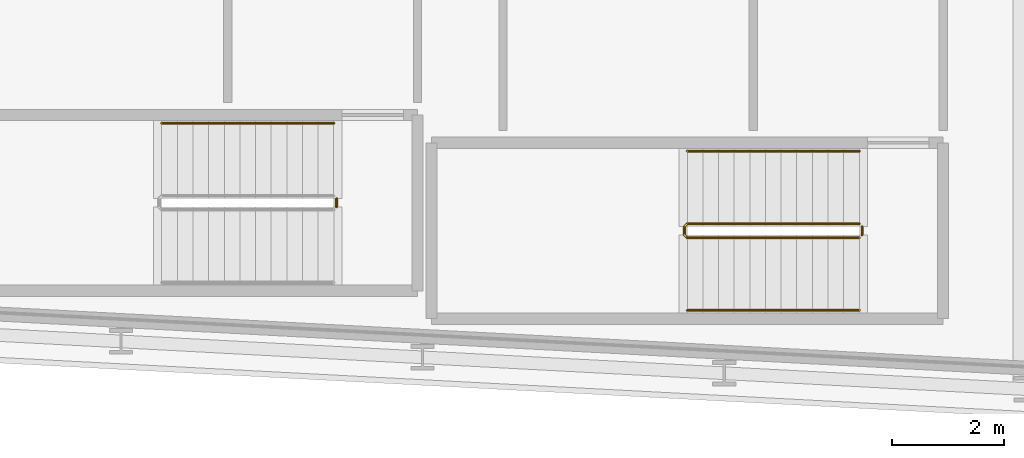
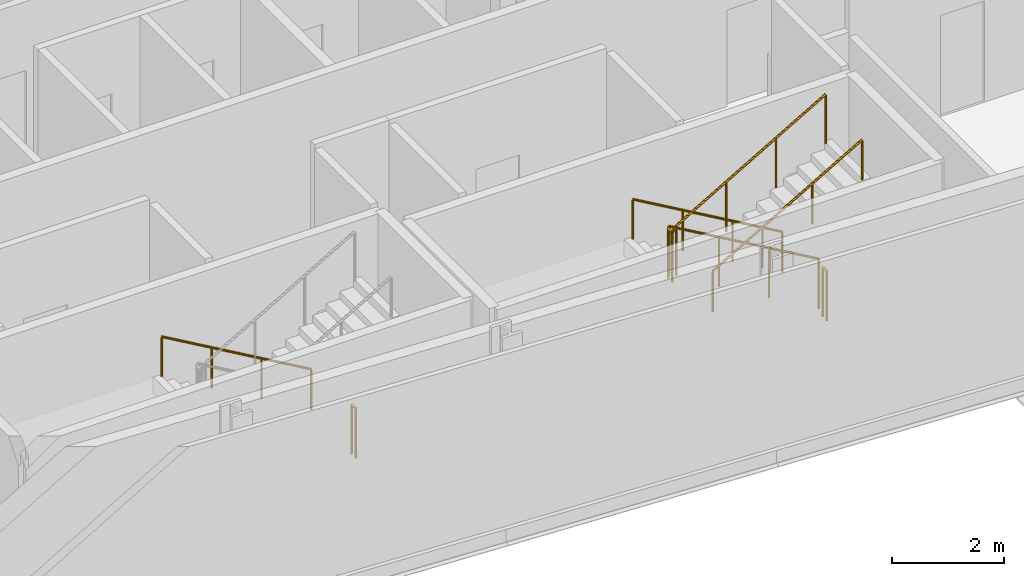
# One storey, part 25 of 28: 6 railings.
"""IFC4 building model written with IfcOpenShell, lengths in metres."""

from ifc_helpers import new_model, si_unit, direction, frame, origin, origin_2d, place, context, subcontext, project, spatial, circle, extrude, material, type_object, element, save


model = new_model("IFC4")

# Units and contexts
model_context = context("Model", 3, precision=1e-05, world=origin(), true_north=direction((0.0, 1.0)))
body_context = subcontext(model_context, "Body", "Model", "MODEL_VIEW")
ifc_project = project(units=[si_unit("LENGTHUNIT", "METRE"), si_unit("AREAUNIT", "SQUARE_METRE"), si_unit("VOLUMEUNIT", "CUBIC_METRE"), si_unit("PLANEANGLEUNIT", "RADIAN"), si_unit("MASSUNIT", "GRAM", prefix="KILO")], contexts=[model_context])

# Site, building, storey
site_placement = place(None, origin())
site = spatial("IfcSite", under=ifc_project, at=site_placement, CompositionType="ELEMENT")
building_placement = place(site_placement, origin())
building = spatial("IfcBuilding", under=site, at=building_placement, Name="Kheshtan School and Residences Tower", CompositionType="ELEMENT")
storey_placement = place(building_placement, frame((0.0, 0.0, 129.199951171875)))
storey = spatial("IfcBuildingStorey", under=building, at=storey_placement, Name="L30", CompositionType="ELEMENT", Elevation=129.199951171875)

# Railings
ifc_material_1 = material(Name="Stainless steel balustrade", Category="steel")
railing_type_1 = type_object("IfcRailingType", Name="Stair guard 1100", PredefinedType="GUARDRAIL", material=ifc_material_1)
railing_1_placement = place(storey_placement, frame((87.820068359375, 23.949951171875, 0.16259765625)))
element("IfcRailing", 1, at=railing_1_placement, inside=storey, type_object=railing_type_1, Name="L30 ST4 stair guard 1", PredefinedType="GUARDRAIL", context=body_context, shape_type="SweptSolid", body=[
    extrude(circle(Radius=0.02392578125, at=origin_2d()), frame((0.0, 0.0, 1.076171875), z_axis=(-0.864920483161, 0.0, 0.501908913857), x_axis=(0.0, -1.0, 0.0)), (0.0, 0.0, 1.0), 3.56103515625),
    extrude(circle(Radius=0.02392578125, at=origin_2d()), frame((-3.080078125, 0.0, 2.86328125), z_axis=(-0.707106781187, -0.707106781187, 0.0), x_axis=(0.707106781187, -0.707106781187, 0.0)), (0.0, 0.0, 1.0), 0.07080078125),
    extrude(circle(Radius=0.02392578125, at=origin_2d()), frame((-3.130126953125, -0.050048828125, 2.86328125), z_axis=(0.0, -1.0, 0.0), x_axis=(1.0, 0.0, 0.0)), (0.0, 0.0, 1.0), 0.14990234375),
    extrude(circle(Radius=0.02392578125, at=origin_2d()), frame((-3.130126953125, -0.199951171875, 2.86328125), z_axis=(0.282227285176, -0.282227285176, 0.916894497205), x_axis=(0.707106781187, 0.707106781187, 0.0)), (0.0, 0.0, 1.0), 0.17724609375),
    extrude(circle(Radius=0.02392578125, at=origin_2d()), frame((-3.080078125, -0.25, 3.02587890625), z_axis=(0.864890721111, 0.0, 0.501960198159), x_axis=(0.0, 1.0, 0.0)), (0.0, 0.0, 1.0), 3.561279296875),
    extrude(circle(Radius=0.02099609375, at=origin_2d()), origin(), (0.0, 0.0, 1.0), 1.052001953125),
    extrude(circle(Radius=0.02099609375, at=origin_2d()), frame((-1.026611328125, 0.0, 0.595703125)), (0.0, 0.0, 1.0), 1.052001953125),
    extrude(circle(Radius=0.02099609375, at=origin_2d()), frame((-2.053466796875, 0.0, 1.191650390625)), (0.0, 0.0, 1.0), 1.052001953125),
    extrude(circle(Radius=0.02099609375, at=origin_2d()), frame((-3.080078125, 0.0, 1.787353515625)), (0.0, 0.0, 1.0), 1.052001953125),
    extrude(circle(Radius=0.02099609375, at=origin_2d()), frame((-3.130126953125, -0.050048828125, 1.787353515625)), (0.0, 0.0, 1.0), 1.052001953125),
    extrude(circle(Radius=0.02099609375, at=origin_2d()), frame((-3.130126953125, -0.199951171875, 1.787353515625)), (0.0, 0.0, 1.0), 1.052001953125),
    extrude(circle(Radius=0.02099609375, at=origin_2d()), frame((-3.080078125, -0.25, 1.949951171875)), (0.0, 0.0, 1.0), 1.052001953125),
    extrude(circle(Radius=0.02099609375, at=origin_2d()), frame((-2.053466796875, -0.25, 2.5458984375)), (0.0, 0.0, 1.0), 1.052001953125),
    extrude(circle(Radius=0.02099609375, at=origin_2d()), frame((-1.026611328125, -0.25, 3.1416015625)), (0.0, 0.0, 1.0), 1.052001953125),
    extrude(circle(Radius=0.02099609375, at=origin_2d()), frame((0.0, -0.25, 3.737548828125)), (0.0, 0.0, 1.0), 1.052001953125),
])
for number, where, name in (
    (2, (87.8701171875, 23.89990234375, 0.0), "L30 ST4 stair guard 2"),
    (3, (78.4599609375, 24.39990234375, 0.0), "L30 ST5 stair guard 2"),
):
    element("IfcRailing", number, at=place(storey_placement, frame(where)), inside=storey, type_object=railing_type_1, Name=name, PredefinedType="GUARDRAIL", context=body_context, shape_type="SweptSolid", body=[
        extrude(circle(Radius=0.02392578125, at=origin_2d()), frame((0.0, 0.0, 1.076171875), z_axis=(0.0, -1.0, 0.0), x_axis=(1.0, 0.0, 0.0)), (0.0, 0.0, 1.0), 0.14990234375),
        extrude(circle(Radius=0.02099609375, at=origin_2d()), origin(), (0.0, 0.0, 1.0), 1.052001953125),
        extrude(circle(Radius=0.02099609375, at=origin_2d()), frame((0.0, -0.14990234375, 0.0)), (0.0, 0.0, 1.0), 1.052001953125),
    ])
ifc_material_2 = material(Name="Stainless steel handrail", Category="steel")
railing_type_2 = type_object("IfcRailingType", Name="Stair handrail 900", PredefinedType="HANDRAIL", material=ifc_material_2)
railing_2_placement = place(storey_placement, frame((87.820068359375, 25.25, 0.16259765625)))
element("IfcRailing", 4, at=railing_2_placement, inside=storey, type_object=railing_type_2, Name="L30 ST4 stair handrail 1", PredefinedType="HANDRAIL", context=body_context, shape_type="SweptSolid", body=[
    extrude(circle(Radius=0.02392578125, at=origin_2d()), frame((0.0, 0.0, 0.8759765625), z_axis=(-0.864920483161, 0.0, 0.501908913857), x_axis=(0.0, -1.0, 0.0)), (0.0, 0.0, 1.0), 3.56103515625),
    extrude(circle(Radius=0.02099609375, at=origin_2d()), origin(), (0.0, 0.0, 1.0), 0.851806640625),
    extrude(circle(Radius=0.02099609375, at=origin_2d()), frame((-1.026611328125, 0.0, 0.595703125)), (0.0, 0.0, 1.0), 0.851806640625),
    extrude(circle(Radius=0.02099609375, at=origin_2d()), frame((-2.053466796875, 0.0, 1.191650390625)), (0.0, 0.0, 1.0), 0.851806640625),
    extrude(circle(Radius=0.02099609375, at=origin_2d()), frame((-3.080078125, 0.0, 1.787353515625)), (0.0, 0.0, 1.0), 0.851806640625),
])
railing_3_placement = place(storey_placement, frame((84.739990234375, 22.39990234375, 2.112548828125)))
element("IfcRailing", 5, at=railing_3_placement, inside=storey, type_object=railing_type_2, Name="L30 ST4 stair handrail 2", PredefinedType="HANDRAIL", context=body_context, shape_type="SweptSolid", body=[
    extrude(circle(Radius=0.02392578125, at=origin_2d()), frame((0.0, 0.0, 0.8759765625), z_axis=(0.864890721111, 0.0, 0.501960198159), x_axis=(0.0, 1.0, 0.0)), (0.0, 0.0, 1.0), 3.561279296875),
    extrude(circle(Radius=0.02099609375, at=origin_2d()), origin(), (0.0, 0.0, 1.0), 0.851806640625),
    extrude(circle(Radius=0.02099609375, at=origin_2d()), frame((1.026611328125, 0.0, 0.595947265625)), (0.0, 0.0, 1.0), 0.851806640625),
    extrude(circle(Radius=0.02099609375, at=origin_2d()), frame((2.053466796875, 0.0, 1.191650390625)), (0.0, 0.0, 1.0), 0.851806640625),
    extrude(circle(Radius=0.02099609375, at=origin_2d()), frame((3.080078125, 0.0, 1.78759765625)), (0.0, 0.0, 1.0), 0.851806640625),
])
railing_4_placement = place(storey_placement, frame((78.409912109375, 25.75, 0.16259765625)))
element("IfcRailing", 6, at=railing_4_placement, inside=storey, type_object=railing_type_2, Name="L30 ST5 stair handrail 1", PredefinedType="HANDRAIL", context=body_context, shape_type="SweptSolid", body=[
    extrude(circle(Radius=0.02392578125, at=origin_2d()), frame((0.0, 0.0, 0.8759765625), z_axis=(-0.864903211148, 0.0, 0.501938676878), x_axis=(0.0, -1.0, 0.0)), (0.0, 0.0, 1.0), 3.560791015625),
    extrude(circle(Radius=0.02099609375, at=origin_2d()), origin(), (0.0, 0.0, 1.0), 0.851806640625),
    extrude(circle(Radius=0.02099609375, at=origin_2d()), frame((-1.026611328125, 0.0, 0.595703125)), (0.0, 0.0, 1.0), 0.851806640625),
    extrude(circle(Radius=0.02099609375, at=origin_2d()), frame((-2.05322265625, 0.0, 1.191650390625)), (0.0, 0.0, 1.0), 0.851806640625),
    extrude(circle(Radius=0.02099609375, at=origin_2d()), frame((-3.079833984375, 0.0, 1.787353515625)), (0.0, 0.0, 1.0), 0.851806640625),
])

save(model, "model.ifc")
